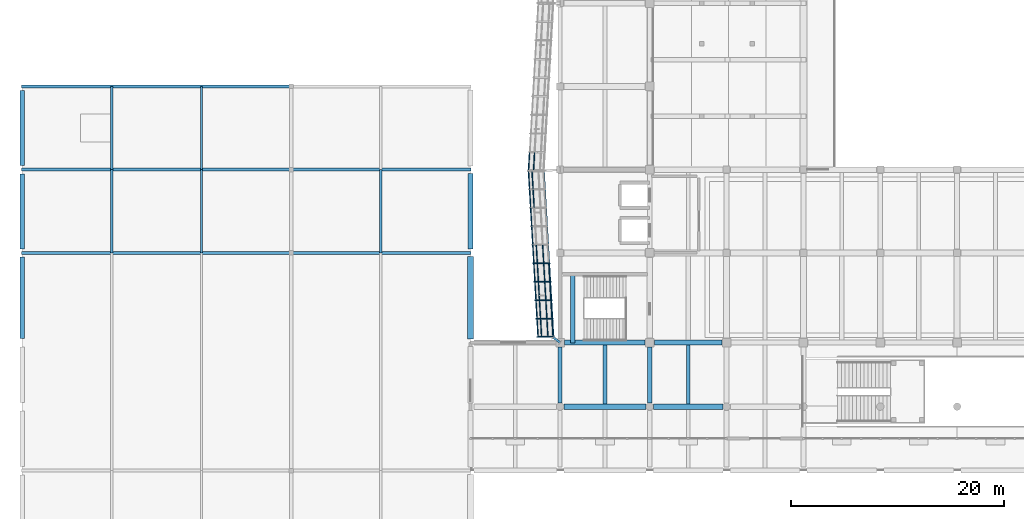
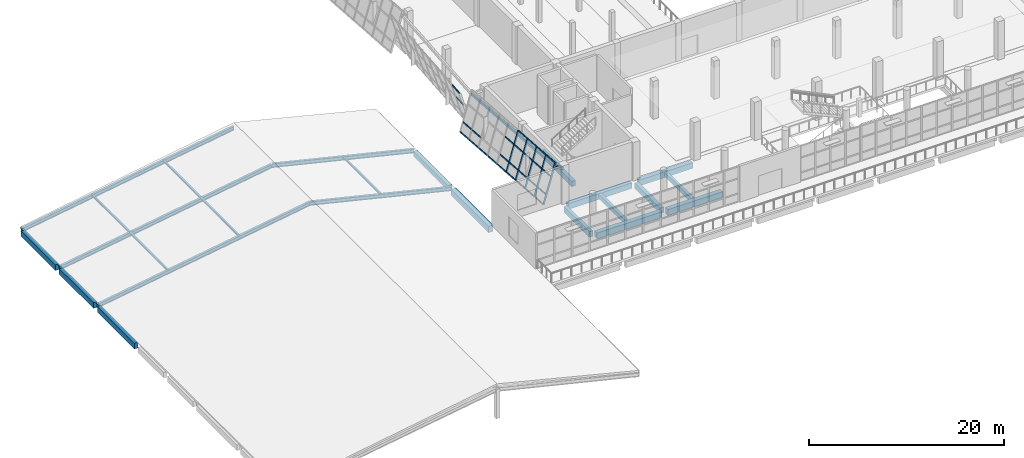
# One storey, part 8 of 79: 37 members, 21 beams, 2 elements without a shape of their own.
"""IFC4 building model written with IfcOpenShell, lengths in metres."""

from ifc_helpers import new_model, si_unit, direction, frame, origin, origin_2d, place, context, subcontext, project, spatial, rectangle, hollow_rectangle, i_section, extrude, material, material_profile, profile_set, type_object, element, aggregate, save


model = new_model("IFC4")

# Units and contexts
model_context = context("Model", 3, precision=1e-05, world=origin(), true_north=direction((0.0, 1.0)))
body_context = subcontext(model_context, "Body", "Model", "MODEL_VIEW")
ifc_project = project(units=[si_unit("LENGTHUNIT", "METRE"), si_unit("AREAUNIT", "SQUARE_METRE"), si_unit("VOLUMEUNIT", "CUBIC_METRE"), si_unit("PLANEANGLEUNIT", "RADIAN"), si_unit("MASSUNIT", "GRAM", prefix="KILO")], contexts=[model_context])

# Site, building, storey
site_placement = place(None, origin())
site = spatial("IfcSite", under=ifc_project, at=site_placement, CompositionType="ELEMENT")
building_placement = place(site_placement, origin())
building = spatial("IfcBuilding", under=site, at=building_placement, Name="Pellamere Symphony Hall", CompositionType="ELEMENT")
storey_placement = place(building_placement, frame((0.0, 0.0, 10.199951171875)))
storey = spatial("IfcBuildingStorey", under=building, at=storey_placement, Name="L02", CompositionType="ELEMENT", Elevation=10.199951171875)

# Curtain wall, members
ifc_material_1 = material(Name="Thermally Broken Anodised Aluminium 6063-T6 Curtain Wall", Category="aluminium")
curtain_wall_type = type_object("IfcCurtainWallType", Name="Curtain Wall CW-01 (Tilted Faceted Crystal Low-Iron Curtain Wall)", PredefinedType="NOTDEFINED", material=ifc_material_1)
curtain_wall_1_placement = place(storey_placement, origin())
curtain_wall_1 = element("IfcCurtainWall", 1, at=curtain_wall_1_placement, inside=storey, type_object=curtain_wall_type, Name="Crystal Faceted Curtain Wall CW-CR18 (L02)", PredefinedType="NOTDEFINED")
ifc_material_2 = material(Name="Anodised Architectural Aluminium 6063-T6", Category="aluminium")
ifc_material_profile_1 = material_profile(ifc_material_2, hollow_rectangle(XDim=0.074951171875, YDim=0.219970703125, WallThickness=0.0048828125, at=origin_2d()), Name="ALU-M75X220X5")
ifc_profile_set_1 = profile_set([ifc_material_profile_1], Name="Anodised Architectural Aluminium 6063-T6")
member_type_1 = type_object("IfcMemberType", Name="Curtain Wall Mullion ML-01 ALU-M75X220X5", PredefinedType="MULLION", material=ifc_profile_set_1)
member_1_placement = place(storey_placement, frame((47.92822265625, 37.433349609375, 0.0), z_axis=(0.284021911736, 0.0, 0.9588177896), x_axis=(-0.055224582463, 0.998339941676, 0.016358678005)))
member_1 = element("IfcMember", 2, at=member_1_placement, type_object=member_type_1, Name="CW1-054 crystal mullion 6", PredefinedType="MULLION", context=body_context, shape_type="SweptSolid", body=[
    extrude(hollow_rectangle(XDim=0.074951171875, YDim=0.219970703125, WallThickness=0.0048828125, at=origin_2d()), origin(), (0.0, 0.0, 1.0), 5.006103515625),
])
member_2_placement = place(storey_placement, frame((48.0283203125, 35.699951171875, 0.0), z_axis=(0.283977077304, 0.0, 0.958831069358), x_axis=(-0.055225347331, 0.998339941676, 0.016356095697)))
member_2 = element("IfcMember", 3, at=member_2_placement, type_object=member_type_1, Name="CW1-054 crystal mullion 7", PredefinedType="MULLION", context=body_context, shape_type="SweptSolid", body=[
    extrude(hollow_rectangle(XDim=0.074951171875, YDim=0.219970703125, WallThickness=0.0048828125, at=origin_2d()), origin(), (0.0, 0.0, 1.0), 5.006103515625),
])
member_3_placement = place(storey_placement, frame((48.128173828125, 33.966552734375, 0.0), z_axis=(0.284021911736, 0.0, 0.9588177896), x_axis=(-0.055224582463, 0.998339941676, 0.016358678005)))
member_3 = element("IfcMember", 4, at=member_3_placement, type_object=member_type_1, Name="CW1-054 crystal mullion 8", PredefinedType="MULLION", context=body_context, shape_type="SweptSolid", body=[
    extrude(hollow_rectangle(XDim=0.074951171875, YDim=0.219970703125, WallThickness=0.0048828125, at=origin_2d()), origin(), (0.0, 0.0, 1.0), 5.006103515625),
])
member_4_placement = place(storey_placement, frame((48.228271484375, 32.2333984375, 0.0), z_axis=(0.283977077304, 0.0, 0.958831069358), x_axis=(-0.055225347331, 0.998339941676, 0.016356095697)))
member_4 = element("IfcMember", 5, at=member_4_placement, type_object=member_type_1, Name="CW1-054 crystal mullion 9", PredefinedType="MULLION", context=body_context, shape_type="SweptSolid", body=[
    extrude(hollow_rectangle(XDim=0.074951171875, YDim=0.219970703125, WallThickness=0.0048828125, at=origin_2d()), origin(), (0.0, 0.0, 1.0), 5.006103515625),
])
member_5_placement = place(storey_placement, frame((48.325927734375, 30.537353515625, 0.0), z_axis=(0.284021911736, 0.0, 0.9588177896), x_axis=(-0.055224582463, 0.998339941676, 0.016358678005)))
member_5 = element("IfcMember", 6, at=member_5_placement, type_object=member_type_1, Name="CW1-054 crystal mullion 10", PredefinedType="MULLION", context=body_context, shape_type="SweptSolid", body=[
    extrude(hollow_rectangle(XDim=0.074951171875, YDim=0.219970703125, WallThickness=0.0048828125, at=origin_2d()), origin(), (0.0, 0.0, 1.0), 5.006103515625),
])

curtain_wall_2_placement = place(storey_placement, origin())
curtain_wall_2 = element("IfcCurtainWall", 7, at=curtain_wall_2_placement, inside=storey, type_object=curtain_wall_type, Name="Crystal Faceted Curtain Wall CW-CR17 (L02)", PredefinedType="NOTDEFINED")
ifc_material_profile_2 = material_profile(ifc_material_2, hollow_rectangle(XDim=0.074951171875, YDim=0.179931640625, WallThickness=0.0048828125, at=origin_2d()), Name="ALU-T75X180X5")
ifc_profile_set_2 = profile_set([ifc_material_profile_2], Name="Anodised Architectural Aluminium 6063-T6")
member_type_2 = type_object("IfcMemberType", Name="Curtain Wall Transom TR-01 ALU-T75X180X5", PredefinedType="USERDEFINED", material=ifc_profile_set_2)
member_6_placement = place(storey_placement, frame((48.009521484375, 47.806884765625, 3.16796875), z_axis=(-0.057198647566, -0.998362817175, 0.0), x_axis=(0.998362817175, -0.057198647566, 0.0)))
member_6 = element("IfcMember", 8, at=member_6_placement, type_object=member_type_2, Name="CW1-049 crystal transom 9.3", ObjectType="TRANSOM", PredefinedType="USERDEFINED", context=body_context, shape_type="SweptSolid", body=[
    extrude(hollow_rectangle(XDim=0.074951171875, YDim=0.179931640625, WallThickness=0.0048828125, at=origin_2d()), origin(), (0.0, 0.0, 1.0), 1.634765625),
])
member_7_placement = place(storey_placement, frame((47.53662109375, 47.806884765625, 4.76416015625), z_axis=(-0.057198647566, -0.998362817175, 0.0), x_axis=(0.998362817175, -0.057198647566, 0.0)))
member_7 = element("IfcMember", 9, at=member_7_placement, type_object=member_type_2, Name="CW1-049 crystal transom 9.4", ObjectType="TRANSOM", PredefinedType="USERDEFINED", context=body_context, shape_type="SweptSolid", body=[
    extrude(hollow_rectangle(XDim=0.074951171875, YDim=0.179931640625, WallThickness=0.0048828125, at=origin_2d()), origin(), (0.0, 0.0, 1.0), 1.634765625),
])
aggregate(curtain_wall_2, [member_6, member_7])

# Member
member_8_placement = place(storey_placement, frame((47.443115234375, 46.025146484375, 0.035888671875), z_axis=(0.057585007883, -0.99834060664, 0.0), x_axis=(0.99834060664, 0.057585007883, 0.0)))
member_8 = element("IfcMember", 10, at=member_8_placement, type_object=member_type_2, Name="CW1-054 crystal transom 1.1", ObjectType="TRANSOM", PredefinedType="USERDEFINED", context=body_context, shape_type="SweptSolid", body=[
    extrude(hollow_rectangle(XDim=0.074951171875, YDim=0.179931640625, WallThickness=0.0048828125, at=origin_2d()), origin(), (0.0, 0.0, 1.0), 1.623779296875),
])

member_9_placement = place(storey_placement, frame((47.773681640625, 46.025146484375, 1.152099609375), z_axis=(0.057585007883, -0.99834060664, 0.0), x_axis=(0.99834060664, 0.057585007883, 0.0)))
member_9 = element("IfcMember", 11, at=member_9_placement, type_object=member_type_2, Name="CW1-054 crystal transom 1.2", ObjectType="TRANSOM", PredefinedType="USERDEFINED", context=body_context, shape_type="SweptSolid", body=[
    extrude(hollow_rectangle(XDim=0.074951171875, YDim=0.179931640625, WallThickness=0.0048828125, at=origin_2d()), origin(), (0.0, 0.0, 1.0), 1.623779296875),
])

member_10_placement = place(storey_placement, frame((47.541015625, 44.329345703125, 0.035888671875), z_axis=(0.057602168051, -0.998339616682, 0.0), x_axis=(0.998339616682, 0.057602168051, 0.0)))
member_10 = element("IfcMember", 12, at=member_10_placement, type_object=member_type_2, Name="CW1-054 crystal transom 2.1", ObjectType="TRANSOM", PredefinedType="USERDEFINED", context=body_context, shape_type="SweptSolid", body=[
    extrude(hollow_rectangle(XDim=0.074951171875, YDim=0.179931640625, WallThickness=0.0048828125, at=origin_2d()), origin(), (0.0, 0.0, 1.0), 1.661376953125),
])

member_11_placement = place(storey_placement, frame((47.87158203125, 44.329345703125, 1.152099609375), z_axis=(0.057602168051, -0.998339616682, 0.0), x_axis=(0.998339616682, 0.057602168051, 0.0)))
member_11 = element("IfcMember", 13, at=member_11_placement, type_object=member_type_2, Name="CW1-054 crystal transom 2.2", ObjectType="TRANSOM", PredefinedType="USERDEFINED", context=body_context, shape_type="SweptSolid", body=[
    extrude(hollow_rectangle(XDim=0.074951171875, YDim=0.179931640625, WallThickness=0.0048828125, at=origin_2d()), origin(), (0.0, 0.0, 1.0), 1.661376953125),
])

member_12_placement = place(storey_placement, frame((47.64111328125, 42.595947265625, 0.035888671875), z_axis=(0.057464139598, -0.998347571069, 0.0), x_axis=(0.998347571069, 0.057464139598, 0.0)))
member_12 = element("IfcMember", 14, at=member_12_placement, type_object=member_type_2, Name="CW1-054 crystal transom 3.1", ObjectType="TRANSOM", PredefinedType="USERDEFINED", context=body_context, shape_type="SweptSolid", body=[
    extrude(hollow_rectangle(XDim=0.074951171875, YDim=0.179931640625, WallThickness=0.0048828125, at=origin_2d()), origin(), (0.0, 0.0, 1.0), 1.6611328125),
])

member_13_placement = place(storey_placement, frame((47.740966796875, 40.862548828125, 0.035888671875), z_axis=(0.057610619545, -0.998339129012, 0.0), x_axis=(0.998339129012, 0.057610619545, 0.0)))
member_13 = element("IfcMember", 15, at=member_13_placement, type_object=member_type_2, Name="CW1-054 crystal transom 4.1", ObjectType="TRANSOM", PredefinedType="USERDEFINED", context=body_context, shape_type="SweptSolid", body=[
    extrude(hollow_rectangle(XDim=0.074951171875, YDim=0.179931640625, WallThickness=0.0048828125, at=origin_2d()), origin(), (0.0, 0.0, 1.0), 1.6611328125),
])

member_14_placement = place(storey_placement, frame((47.841064453125, 39.129150390625, 0.035888671875), z_axis=(0.057610619545, -0.998339129012, 0.0), x_axis=(0.998339129012, 0.057610619545, 0.0)))
member_14 = element("IfcMember", 16, at=member_14_placement, type_object=member_type_2, Name="CW1-054 crystal transom 5.1", ObjectType="TRANSOM", PredefinedType="USERDEFINED", context=body_context, shape_type="SweptSolid", body=[
    extrude(hollow_rectangle(XDim=0.074951171875, YDim=0.179931640625, WallThickness=0.0048828125, at=origin_2d()), origin(), (0.0, 0.0, 1.0), 1.6611328125),
])

member_15_placement = place(storey_placement, frame((48.171630859375, 39.129150390625, 1.152099609375), z_axis=(0.057610619545, -0.998339129012, 0.0), x_axis=(0.998339129012, 0.057610619545, 0.0)))
member_15 = element("IfcMember", 17, at=member_15_placement, type_object=member_type_2, Name="CW1-054 crystal transom 5.2", ObjectType="TRANSOM", PredefinedType="USERDEFINED", context=body_context, shape_type="SweptSolid", body=[
    extrude(hollow_rectangle(XDim=0.074951171875, YDim=0.179931640625, WallThickness=0.0048828125, at=origin_2d()), origin(), (0.0, 0.0, 1.0), 1.6611328125),
])

member_16_placement = place(storey_placement, frame((48.768798828125, 39.129150390625, 3.16796875), z_axis=(0.057610619545, -0.998339129012, 0.0), x_axis=(0.998339129012, 0.057610619545, 0.0)))
member_16 = element("IfcMember", 18, at=member_16_placement, type_object=member_type_2, Name="CW1-054 crystal transom 5.3", ObjectType="TRANSOM", PredefinedType="USERDEFINED", context=body_context, shape_type="SweptSolid", body=[
    extrude(hollow_rectangle(XDim=0.074951171875, YDim=0.179931640625, WallThickness=0.0048828125, at=origin_2d()), origin(), (0.0, 0.0, 1.0), 1.6611328125),
])

member_17_placement = place(storey_placement, frame((47.94091796875, 37.39599609375, 0.035888671875), z_axis=(0.057610619545, -0.998339129012, 0.0), x_axis=(0.998339129012, 0.057610619545, 0.0)))
member_17 = element("IfcMember", 19, at=member_17_placement, type_object=member_type_2, Name="CW1-054 crystal transom 6.1", ObjectType="TRANSOM", PredefinedType="USERDEFINED", context=body_context, shape_type="SweptSolid", body=[
    extrude(hollow_rectangle(XDim=0.074951171875, YDim=0.179931640625, WallThickness=0.0048828125, at=origin_2d()), origin(), (0.0, 0.0, 1.0), 1.6611328125),
])

member_18_placement = place(storey_placement, frame((48.271484375, 37.39599609375, 1.152099609375), z_axis=(0.057610619545, -0.998339129012, 0.0), x_axis=(0.998339129012, 0.057610619545, 0.0)))
member_18 = element("IfcMember", 20, at=member_18_placement, type_object=member_type_2, Name="CW1-054 crystal transom 6.2", ObjectType="TRANSOM", PredefinedType="USERDEFINED", context=body_context, shape_type="SweptSolid", body=[
    extrude(hollow_rectangle(XDim=0.074951171875, YDim=0.179931640625, WallThickness=0.0048828125, at=origin_2d()), origin(), (0.0, 0.0, 1.0), 1.6611328125),
])

member_19_placement = place(storey_placement, frame((48.86865234375, 37.39599609375, 3.16796875), z_axis=(0.057610619545, -0.998339129012, 0.0), x_axis=(0.998339129012, 0.057610619545, 0.0)))
member_19 = element("IfcMember", 21, at=member_19_placement, type_object=member_type_2, Name="CW1-054 crystal transom 6.3", ObjectType="TRANSOM", PredefinedType="USERDEFINED", context=body_context, shape_type="SweptSolid", body=[
    extrude(hollow_rectangle(XDim=0.074951171875, YDim=0.179931640625, WallThickness=0.0048828125, at=origin_2d()), origin(), (0.0, 0.0, 1.0), 1.6611328125),
])

member_20_placement = place(storey_placement, frame((49.341552734375, 37.39599609375, 4.76416015625), z_axis=(0.057610619545, -0.998339129012, 0.0), x_axis=(0.998339129012, 0.057610619545, 0.0)))
member_20 = element("IfcMember", 22, at=member_20_placement, type_object=member_type_2, Name="CW1-054 crystal transom 6.4", ObjectType="TRANSOM", PredefinedType="USERDEFINED", context=body_context, shape_type="SweptSolid", body=[
    extrude(hollow_rectangle(XDim=0.074951171875, YDim=0.179931640625, WallThickness=0.0048828125, at=origin_2d()), origin(), (0.0, 0.0, 1.0), 1.6611328125),
])

member_21_placement = place(storey_placement, frame((48.041015625, 35.66259765625, 0.035888671875), z_axis=(0.057610619545, -0.998339129012, 0.0), x_axis=(0.998339129012, 0.057610619545, 0.0)))
member_21 = element("IfcMember", 23, at=member_21_placement, type_object=member_type_2, Name="CW1-054 crystal transom 7.1", ObjectType="TRANSOM", PredefinedType="USERDEFINED", context=body_context, shape_type="SweptSolid", body=[
    extrude(hollow_rectangle(XDim=0.074951171875, YDim=0.179931640625, WallThickness=0.0048828125, at=origin_2d()), origin(), (0.0, 0.0, 1.0), 1.6611328125),
])

member_22_placement = place(storey_placement, frame((48.37158203125, 35.66259765625, 1.152099609375), z_axis=(0.057610619545, -0.998339129012, 0.0), x_axis=(0.998339129012, 0.057610619545, 0.0)))
member_22 = element("IfcMember", 24, at=member_22_placement, type_object=member_type_2, Name="CW1-054 crystal transom 7.2", ObjectType="TRANSOM", PredefinedType="USERDEFINED", context=body_context, shape_type="SweptSolid", body=[
    extrude(hollow_rectangle(XDim=0.074951171875, YDim=0.179931640625, WallThickness=0.0048828125, at=origin_2d()), origin(), (0.0, 0.0, 1.0), 1.6611328125),
])

member_23_placement = place(storey_placement, frame((48.96875, 35.66259765625, 3.16796875), z_axis=(0.057610619545, -0.998339129012, 0.0), x_axis=(0.998339129012, 0.057610619545, 0.0)))
member_23 = element("IfcMember", 25, at=member_23_placement, type_object=member_type_2, Name="CW1-054 crystal transom 7.3", ObjectType="TRANSOM", PredefinedType="USERDEFINED", context=body_context, shape_type="SweptSolid", body=[
    extrude(hollow_rectangle(XDim=0.074951171875, YDim=0.179931640625, WallThickness=0.0048828125, at=origin_2d()), origin(), (0.0, 0.0, 1.0), 1.6611328125),
])

member_24_placement = place(storey_placement, frame((49.44140625, 35.66259765625, 4.76416015625), z_axis=(0.057610619545, -0.998339129012, 0.0), x_axis=(0.998339129012, 0.057610619545, 0.0)))
member_24 = element("IfcMember", 26, at=member_24_placement, type_object=member_type_2, Name="CW1-054 crystal transom 7.4", ObjectType="TRANSOM", PredefinedType="USERDEFINED", context=body_context, shape_type="SweptSolid", body=[
    extrude(hollow_rectangle(XDim=0.074951171875, YDim=0.179931640625, WallThickness=0.0048828125, at=origin_2d()), origin(), (0.0, 0.0, 1.0), 1.6611328125),
])

member_25_placement = place(storey_placement, frame((48.14111328125, 33.92919921875, 0.035888671875), z_axis=(0.057464139598, -0.998347571069, 0.0), x_axis=(0.998347571069, 0.057464139598, 0.0)))
member_25 = element("IfcMember", 27, at=member_25_placement, type_object=member_type_2, Name="CW1-054 crystal transom 8.1", ObjectType="TRANSOM", PredefinedType="USERDEFINED", context=body_context, shape_type="SweptSolid", body=[
    extrude(hollow_rectangle(XDim=0.074951171875, YDim=0.179931640625, WallThickness=0.0048828125, at=origin_2d()), origin(), (0.0, 0.0, 1.0), 1.6611328125),
])

member_26_placement = place(storey_placement, frame((48.4716796875, 33.92919921875, 1.152099609375), z_axis=(0.057610619545, -0.998339129012, 0.0), x_axis=(0.998339129012, 0.057610619545, 0.0)))
member_26 = element("IfcMember", 28, at=member_26_placement, type_object=member_type_2, Name="CW1-054 crystal transom 8.2", ObjectType="TRANSOM", PredefinedType="USERDEFINED", context=body_context, shape_type="SweptSolid", body=[
    extrude(hollow_rectangle(XDim=0.074951171875, YDim=0.179931640625, WallThickness=0.0048828125, at=origin_2d()), origin(), (0.0, 0.0, 1.0), 1.6611328125),
])

member_27_placement = place(storey_placement, frame((49.06884765625, 33.92919921875, 3.16796875), z_axis=(0.057464139598, -0.998347571069, 0.0), x_axis=(0.998347571069, 0.057464139598, 0.0)))
member_27 = element("IfcMember", 29, at=member_27_placement, type_object=member_type_2, Name="CW1-054 crystal transom 8.3", ObjectType="TRANSOM", PredefinedType="USERDEFINED", context=body_context, shape_type="SweptSolid", body=[
    extrude(hollow_rectangle(XDim=0.074951171875, YDim=0.179931640625, WallThickness=0.0048828125, at=origin_2d()), origin(), (0.0, 0.0, 1.0), 1.6611328125),
])

member_28_placement = place(storey_placement, frame((49.54150390625, 33.92919921875, 4.76416015625), z_axis=(0.057610619545, -0.998339129012, 0.0), x_axis=(0.998339129012, 0.057610619545, 0.0)))
member_28 = element("IfcMember", 30, at=member_28_placement, type_object=member_type_2, Name="CW1-054 crystal transom 8.4", ObjectType="TRANSOM", PredefinedType="USERDEFINED", context=body_context, shape_type="SweptSolid", body=[
    extrude(hollow_rectangle(XDim=0.074951171875, YDim=0.179931640625, WallThickness=0.0048828125, at=origin_2d()), origin(), (0.0, 0.0, 1.0), 1.6611328125),
])

member_29_placement = place(storey_placement, frame((48.240966796875, 32.19580078125, 0.035888671875), z_axis=(0.057593652861, -0.998340107954, 0.0), x_axis=(0.998340107954, 0.057593652861, 0.0)))
member_29 = element("IfcMember", 31, at=member_29_placement, type_object=member_type_2, Name="CW1-054 crystal transom 9.1", ObjectType="TRANSOM", PredefinedType="USERDEFINED", context=body_context, shape_type="SweptSolid", body=[
    extrude(hollow_rectangle(XDim=0.074951171875, YDim=0.179931640625, WallThickness=0.0048828125, at=origin_2d()), origin(), (0.0, 0.0, 1.0), 1.62353515625),
])

member_30_placement = place(storey_placement, frame((48.571533203125, 32.19580078125, 1.152099609375), z_axis=(0.057593652861, -0.998340107954, 0.0), x_axis=(0.998340107954, 0.057593652861, 0.0)))
member_30 = element("IfcMember", 32, at=member_30_placement, type_object=member_type_2, Name="CW1-054 crystal transom 9.2", ObjectType="TRANSOM", PredefinedType="USERDEFINED", context=body_context, shape_type="SweptSolid", body=[
    extrude(hollow_rectangle(XDim=0.074951171875, YDim=0.179931640625, WallThickness=0.0048828125, at=origin_2d()), origin(), (0.0, 0.0, 1.0), 1.62353515625),
])

member_31_placement = place(storey_placement, frame((49.168701171875, 32.19580078125, 3.16796875), z_axis=(0.057593652861, -0.998340107954, 0.0), x_axis=(0.998340107954, 0.057593652861, 0.0)))
member_31 = element("IfcMember", 33, at=member_31_placement, type_object=member_type_2, Name="CW1-054 crystal transom 9.3", ObjectType="TRANSOM", PredefinedType="USERDEFINED", context=body_context, shape_type="SweptSolid", body=[
    extrude(hollow_rectangle(XDim=0.074951171875, YDim=0.179931640625, WallThickness=0.0048828125, at=origin_2d()), origin(), (0.0, 0.0, 1.0), 1.62353515625),
])

member_32_placement = place(storey_placement, frame((49.6416015625, 32.19580078125, 4.76416015625), z_axis=(0.057593652861, -0.998340107954, 0.0), x_axis=(0.998340107954, 0.057593652861, 0.0)))
member_32 = element("IfcMember", 34, at=member_32_placement, type_object=member_type_2, Name="CW1-054 crystal transom 9.4", ObjectType="TRANSOM", PredefinedType="USERDEFINED", context=body_context, shape_type="SweptSolid", body=[
    extrude(hollow_rectangle(XDim=0.074951171875, YDim=0.179931640625, WallThickness=0.0048828125, at=origin_2d()), origin(), (0.0, 0.0, 1.0), 1.62353515625),
])

aggregate(curtain_wall_1, [member_1, member_2, member_3, member_4, member_5, member_8, member_9, member_10, member_11, member_12, member_13, member_14, member_15, member_16, member_17, member_18, member_19, member_20, member_21, member_22, member_23, member_24, member_25, member_26, member_27, member_28, member_29, member_30, member_31, member_32])

# Beams
ifc_material_3 = material(Name="Concrete 40 MPa", Category="concrete")
ifc_material_profile_3 = material_profile(ifc_material_3, rectangle(XDim=0.550048828125, YDim=0.800048828125, at=origin_2d()), Name="RC 550x800")
ifc_profile_set_3 = profile_set([ifc_material_profile_3], Name="Concrete 40 MPa")
beam_type_1 = type_object("IfcBeamType", Name="RC CB-05 550x800", PredefinedType="BEAM", material=ifc_profile_set_3)
beam_1_placement = place(storey_placement, frame((42.0, 30.35009765625, -0.679931640625), z_axis=(0.0, 1.0, 0.0), x_axis=(-1.0, 0.0, 0.0)))
element("IfcBeam", 35, at=beam_1_placement, inside=storey, type_object=beam_type_1, Name="Girder CB-05-Y1246 (L02)", PredefinedType="BEAM", context=body_context, shape_type="SweptSolid", body=[
    extrude(rectangle(XDim=0.550048828125, YDim=0.800048828125, at=origin_2d()), origin(), (0.0, 0.0, 1.0), 7.699951171875),
])
ifc_material_profile_4 = material_profile(ifc_material_3, rectangle(XDim=0.449951171875, YDim=0.64990234375, at=origin_2d()), Name="RC 450x650")
ifc_profile_set_4 = profile_set([ifc_material_profile_4], Name="Concrete 40 MPa")
beam_type_2 = type_object("IfcBeamType", Name="RC CB-08 450x650", PredefinedType="BEAM", material=ifc_profile_set_4)
beam_2_placement = place(storey_placement, frame((42.0, 38.75, -0.60498046875), z_axis=(0.0, 1.0, 0.0), x_axis=(-1.0, 0.0, 0.0)))
element("IfcBeam", 36, at=beam_2_placement, inside=storey, type_object=beam_type_2, Name="Girder CB-08-Y1247 (L02)", PredefinedType="BEAM", context=body_context, shape_type="SweptSolid", body=[
    extrude(rectangle(XDim=0.449951171875, YDim=0.64990234375, at=origin_2d()), origin(), (0.0, 0.0, 1.0), 7.10009765625),
])
beam_3_placement = place(storey_placement, frame((58.800048828125, 24.35009765625, -0.60498046875), z_axis=(0.0, 1.0, 0.0), x_axis=(-1.0, 0.0, 0.0)))
element("IfcBeam", 37, at=beam_3_placement, inside=storey, type_object=beam_type_2, Name="Girder CB-08-Y1260 (L02)", PredefinedType="BEAM", context=body_context, shape_type="SweptSolid", body=[
    extrude(rectangle(XDim=0.449951171875, YDim=0.64990234375, at=origin_2d()), origin(), (0.0, 0.0, 1.0), 5.224853515625),
])
beam_4_placement = place(storey_placement, frame((51.592529296875, 29.97998046875, 1.85498046875), z_axis=(0.0, 1.0, 0.0), x_axis=(-1.0, 0.0, 0.0)))
element("IfcBeam", 38, at=beam_4_placement, inside=storey, type_object=beam_type_2, Name="Stair ST01-L02 Half Landing Support Beam (L02)", PredefinedType="BEAM", context=body_context, shape_type="SweptSolid", body=[
    extrude(rectangle(XDim=0.449951171875, YDim=0.64990234375, at=origin_2d()), origin(), (0.0, 0.0, 1.0), 6.43994140625),
])
ifc_material_4 = material(Name="Concrete 35 MPa", Category="concrete")
ifc_material_profile_5 = material_profile(ifc_material_4, rectangle(XDim=0.35009765625, YDim=0.550048828125, at=origin_2d()), Name="RC 350x550")
ifc_profile_set_5 = profile_set([ifc_material_profile_5], Name="Concrete 35 MPa")
beam_type_3 = type_object("IfcBeamType", Name="RC CB-10 350x550", PredefinedType="BEAM", material=ifc_profile_set_5)
for number, where, z_axis, x_axis, name in (
    (39, (54.60009765625, 24.27001953125, -0.570068359375), (0.0, 1.0, 0.0), (-1.0, 0.0, 0.0), "Secondary Floor Beam CB-10-M0603 (L02)"),
    (40, (62.39990234375, 24.27001953125, -0.570068359375), (0.0, 1.0, 0.0), (-1.0, 0.0, 0.0), "Secondary Floor Beam CB-10-M0703 (L02)"),
):
    element("IfcBeam", number, at=place(storey_placement, frame(where, z_axis=z_axis, x_axis=x_axis)), inside=storey, type_object=beam_type_3, Name=name, PredefinedType="BEAM", context=body_context, shape_type="SweptSolid", body=[
        extrude(rectangle(XDim=0.35009765625, YDim=0.550048828125, at=origin_2d()), origin(), (0.0, 0.0, 1.0), 5.489990234375),
    ])
ifc_material_profile_6 = material_profile(ifc_material_3, rectangle(XDim=0.39990234375, YDim=0.699951171875, at=origin_2d()), Name="RC 400x700")
ifc_profile_set_6 = profile_set([ifc_material_profile_6], Name="Concrete 40 MPa")
beam_type_4 = type_object("IfcBeamType", Name="RC CB-13 400x700", PredefinedType="SPANDREL", material=ifc_profile_set_6)
beam_5_placement = place(storey_placement, frame((0.0, 30.389892578125, -0.6298828125), z_axis=(0.0, 1.0, 0.0), x_axis=(-1.0, 0.0, 0.0)))
element("IfcBeam", 41, at=beam_5_placement, inside=storey, type_object=beam_type_4, Name="Girder CB-13-Y1217 (L02)", PredefinedType="SPANDREL", context=body_context, shape_type="SweptSolid", body=[
    extrude(rectangle(XDim=0.39990234375, YDim=0.699951171875, at=origin_2d()), origin(), (0.0, 0.0, 1.0), 7.6201171875),
])
for number, where, z_axis, x_axis, name in (
    (42, (0.0, 38.7900390625, -0.6298828125), (0.0, 1.0, 0.0), (-1.0, 0.0, 0.0), "Girder CB-13-Y1218 (L02)"),
    (43, (0.0, 46.590087890625, -0.6298828125), (0.0, 1.0, 0.0), (-1.0, 0.0, 0.0), "Girder CB-13-Y1219 (L02)"),
):
    element("IfcBeam", number, at=place(storey_placement, frame(where, z_axis=z_axis, x_axis=x_axis)), inside=storey, type_object=beam_type_4, Name=name, PredefinedType="SPANDREL", context=body_context, shape_type="SweptSolid", body=[
        extrude(rectangle(XDim=0.39990234375, YDim=0.699951171875, at=origin_2d()), origin(), (0.0, 0.0, 1.0), 7.02001953125),
    ])
beam_6_placement = place(storey_placement, frame((50.39990234375, 24.35009765625, -0.6298828125), z_axis=(0.0, 1.0, 0.0), x_axis=(-1.0, 0.0, 0.0)))
element("IfcBeam", 44, at=beam_6_placement, inside=storey, type_object=beam_type_4, Name="Girder CB-13-Y1250 (L02)", PredefinedType="SPANDREL", context=body_context, shape_type="SweptSolid", body=[
    extrude(rectangle(XDim=0.39990234375, YDim=0.699951171875, at=origin_2d()), origin(), (0.0, 0.0, 1.0), 5.224853515625),
])
ifc_material_profile_7 = material_profile(ifc_material_3, rectangle(XDim=0.47998046875, YDim=0.719970703125, at=origin_2d()), Name="RC 480x720")
ifc_profile_set_7 = profile_set([ifc_material_profile_7], Name="Concrete 40 MPa")
beam_type_5 = type_object("IfcBeamType", Name="RC CB-14 480x720", PredefinedType="SPANDREL", material=ifc_profile_set_7)
beam_7_placement = place(storey_placement, frame((50.824951171875, 30.0, -0.639892578125), z_axis=(1.0, 0.0, 0.0), x_axis=(0.0, 1.0, 0.0)))
element("IfcBeam", 45, at=beam_7_placement, inside=storey, type_object=beam_type_5, Name="Girder CB-14-X1074 (L02)", PredefinedType="SPANDREL", context=body_context, shape_type="SweptSolid", body=[
    extrude(rectangle(XDim=0.47998046875, YDim=0.719970703125, at=origin_2d()), origin(), (0.0, 0.0, 1.0), 7.550048828125),
])
beam_8_placement = place(storey_placement, frame((59.22509765625, 30.0, -0.639892578125), z_axis=(1.0, 0.0, 0.0), x_axis=(0.0, 1.0, 0.0)))
element("IfcBeam", 46, at=beam_8_placement, inside=storey, type_object=beam_type_5, Name="Girder CB-14-X1075 (L02)", PredefinedType="SPANDREL", context=body_context, shape_type="SweptSolid", body=[
    extrude(rectangle(XDim=0.47998046875, YDim=0.719970703125, at=origin_2d()), origin(), (0.0, 0.0, 1.0), 6.349853515625),
])
ifc_material_profile_8 = material_profile(ifc_material_3, rectangle(XDim=0.5400390625, YDim=0.719970703125, at=origin_2d()), Name="RC 540x720")
ifc_profile_set_8 = profile_set([ifc_material_profile_8], Name="Concrete 40 MPa")
beam_type_6 = type_object("IfcBeamType", Name="RC CB-24 540x720", PredefinedType="BEAM", material=ifc_profile_set_8)
beam_9_placement = place(storey_placement, frame((50.75, 24.0, -0.639892578125), z_axis=(1.0, 0.0, 0.0), x_axis=(0.0, 1.0, 0.0)))
element("IfcBeam", 47, at=beam_9_placement, inside=storey, type_object=beam_type_6, Name="Girder CB-24-X1059 (L02)", PredefinedType="BEAM", context=body_context, shape_type="SweptSolid", body=[
    extrude(rectangle(XDim=0.5400390625, YDim=0.719970703125, at=origin_2d()), origin(), (0.0, 0.0, 1.0), 7.699951171875),
])
beam_10_placement = place(storey_placement, frame((59.14990234375, 24.0, -0.639892578125), z_axis=(1.0, 0.0, 0.0), x_axis=(0.0, 1.0, 0.0)))
element("IfcBeam", 48, at=beam_10_placement, inside=storey, type_object=beam_type_6, Name="Girder CB-24-X1060 (L02)", PredefinedType="BEAM", context=body_context, shape_type="SweptSolid", body=[
    extrude(rectangle(XDim=0.5400390625, YDim=0.719970703125, at=origin_2d()), origin(), (0.0, 0.0, 1.0), 6.5),
])
ifc_material_5 = material(Name="Steel CSA G40.21 350W", Category="steel")
ifc_material_profile_9 = material_profile(ifc_material_5, i_section(OverallWidth=0.282958984375, OverallDepth=0.471923828125, WebThickness=0.013671875, FlangeThickness=0.022216796875, at=origin_2d()), Name="W460X144")
ifc_profile_set_9 = profile_set([ifc_material_profile_9], Name="Steel CSA G40.21 350W")
beam_type_7 = type_object("IfcBeamType", Name="Steel Beam SB-15 W460X144", PredefinedType="BEAM", material=ifc_profile_set_9)
beam_11_placement = place(storey_placement, frame((0.0, 38.39990234375, -0.47998046875), z_axis=(0.987452628334, 0.0, 0.157915505245), x_axis=(0.0, 1.0, 0.0)))
element("IfcBeam", 49, at=beam_11_placement, inside=storey, type_object=beam_type_7, Name="Chamber Roof Steel Rafter 4W", PredefinedType="BEAM", context=body_context, shape_type="SweptSolid", body=[
    extrude(i_section(OverallWidth=0.282958984375, OverallDepth=0.471923828125, WebThickness=0.013671875, FlangeThickness=0.022216796875, at=origin_2d()), origin(), (0.0, 0.0, 1.0), 25.520263671875),
])
beam_12_placement = place(storey_placement, frame((25.199951171875, 38.39990234375, 3.550048828125), z_axis=(0.972413335044, 0.0, -0.233264454704), x_axis=(0.0, 1.0, 0.0)))
element("IfcBeam", 50, at=beam_12_placement, inside=storey, type_object=beam_type_7, Name="Chamber Roof Steel Rafter 4E", PredefinedType="BEAM", context=body_context, shape_type="SweptSolid", body=[
    extrude(i_section(OverallWidth=0.282958984375, OverallDepth=0.471923828125, WebThickness=0.013671875, FlangeThickness=0.022216796875, at=origin_2d()), origin(), (0.0, 0.0, 1.0), 17.276611328125),
])
beam_13_placement = place(storey_placement, frame((0.0, 46.199951171875, -0.47998046875), z_axis=(0.987452628334, 0.0, 0.157915505245), x_axis=(0.0, 1.0, 0.0)))
element("IfcBeam", 51, at=beam_13_placement, inside=storey, type_object=beam_type_7, Name="Chamber Roof Steel Rafter 5W", PredefinedType="BEAM", context=body_context, shape_type="SweptSolid", body=[
    extrude(i_section(OverallWidth=0.282958984375, OverallDepth=0.471923828125, WebThickness=0.013671875, FlangeThickness=0.022216796875, at=origin_2d()), origin(), (0.0, 0.0, 1.0), 25.520263671875),
])
beam_14_placement = place(storey_placement, frame((25.199951171875, 46.199951171875, 3.550048828125), z_axis=(0.972413335044, 0.0, -0.233264454704), x_axis=(0.0, 1.0, 0.0)))
element("IfcBeam", 52, at=beam_14_placement, inside=storey, type_object=beam_type_7, Name="Chamber Roof Steel Rafter 5E", PredefinedType="BEAM", context=body_context, shape_type="SweptSolid", body=[
    extrude(i_section(OverallWidth=0.282958984375, OverallDepth=0.471923828125, WebThickness=0.013671875, FlangeThickness=0.022216796875, at=origin_2d()), origin(), (0.0, 0.0, 1.0), 17.276611328125),
])
beam_15_placement = place(storey_placement, frame((0.0, 54.0, -0.47998046875), z_axis=(0.987452628334, 0.0, 0.157915505245), x_axis=(0.0, 1.0, 0.0)))
element("IfcBeam", 53, at=beam_15_placement, inside=storey, type_object=beam_type_7, Name="Chamber Roof Steel Rafter 6W", PredefinedType="BEAM", context=body_context, shape_type="SweptSolid", body=[
    extrude(i_section(OverallWidth=0.282958984375, OverallDepth=0.471923828125, WebThickness=0.013671875, FlangeThickness=0.022216796875, at=origin_2d()), origin(), (0.0, 0.0, 1.0), 25.520263671875),
])

# Members
ifc_material_profile_10 = material_profile(ifc_material_5, i_section(OverallWidth=0.2041015625, OverallDepth=0.2060546875, WebThickness=0.0078125, FlangeThickness=0.0126953125, at=origin_2d()), Name="W200X52")
ifc_profile_set_10 = profile_set([ifc_material_profile_10], Name="Steel CSA G40.21 350W")
member_type_3 = type_object("IfcMemberType", Name="Steel Member SM-15 W200X52", PredefinedType="PURLIN", material=ifc_profile_set_10)
for number, where, z_axis, x_axis, name in (
    (54, (8.39990234375, 38.39990234375, 1.0400390625), (0.0, 1.0, 0.0), (-1.0, 0.0, 0.0), "Chamber Roof Steel Purlin 4.8"),
    (55, (16.800048828125, 38.39990234375, 2.43994140625), (0.0, 1.0, 0.0), (-1.0, 0.0, 0.0), "Chamber Roof Steel Purlin 4.16"),
    (56, (33.60009765625, 38.39990234375, 1.739990234375), (0.0, 1.0, 0.0), (-1.0, 0.0, 0.0), "Chamber Roof Steel Purlin 4.33"),
    (57, (8.39990234375, 46.199951171875, 1.0400390625), (0.0, 1.0, 0.0), (-1.0, 0.0, 0.0), "Chamber Roof Steel Purlin 5.8"),
    (58, (16.800048828125, 46.199951171875, 2.43994140625), (0.0, 1.0, 0.0), (-1.0, 0.0, 0.0), "Chamber Roof Steel Purlin 5.16"),
):
    element("IfcMember", number, at=place(storey_placement, frame(where, z_axis=z_axis, x_axis=x_axis)), inside=storey, type_object=member_type_3, Name=name, PredefinedType="PURLIN", context=body_context, shape_type="SweptSolid", body=[
        extrude(i_section(OverallWidth=0.2041015625, OverallDepth=0.2060546875, WebThickness=0.0078125, FlangeThickness=0.0126953125, at=origin_2d()), origin(), (0.0, 0.0, 1.0), 7.800048828125),
    ])

# Beams
ifc_material_profile_11 = material_profile(ifc_material_5, hollow_rectangle(XDim=0.203125, YDim=0.3046875, WallThickness=0.0126953125, at=origin_2d()), Name="HSS305X203X13")
ifc_profile_set_11 = profile_set([ifc_material_profile_11], Name="Steel CSA G40.21 350W")
beam_type_8 = type_object("IfcBeamType", Name="Steel Spandrel SB-26 HSS305X203X13", PredefinedType="SPANDREL", material=ifc_profile_set_11)
beam_16_placement = place(storey_placement, frame((48.85009765625, 46.10009765625, 4.239990234375), z_axis=(0.057589946883, -0.998340321743, 0.0), x_axis=(0.998340321743, 0.057589946883, 0.0)))
element("IfcBeam", 59, at=beam_16_placement, inside=storey, type_object=beam_type_8, Name="Crystal Perimeter Ring Beam CW-CR18 (L02)", PredefinedType="SPANDREL", context=body_context, shape_type="SweptSolid", body=[
    extrude(hollow_rectangle(XDim=0.203125, YDim=0.3046875, WallThickness=0.0126953125, at=origin_2d()), origin(), (0.0, 0.0, 1.0), 15.6259765625),
])
beam_17_placement = place(storey_placement, frame((50.39990234375, 30.0, 4.239990234375), z_axis=(-0.792579713642, 0.609768314627, 0.0), x_axis=(-0.609768314627, -0.792579713642, 0.0)))
element("IfcBeam", 60, at=beam_17_placement, inside=storey, type_object=beam_type_8, Name="Crystal Ring Outrigger Bracket 121 (L02)", PredefinedType="SPANDREL", context=body_context, shape_type="SweptSolid", body=[
    extrude(hollow_rectangle(XDim=0.203125, YDim=0.3046875, WallThickness=0.0126953125, at=origin_2d()), origin(), (0.0, 0.0, 1.0), 0.820068359375),
])

save(model, "model.ifc")
